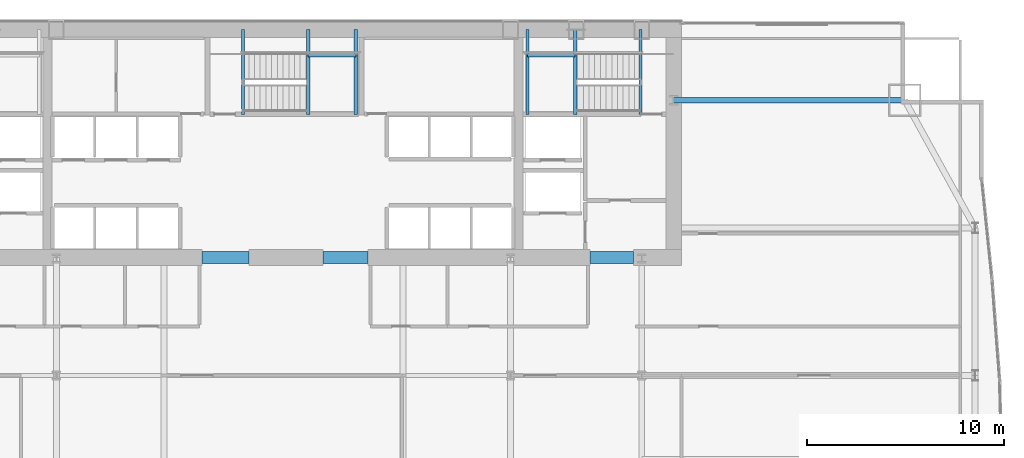
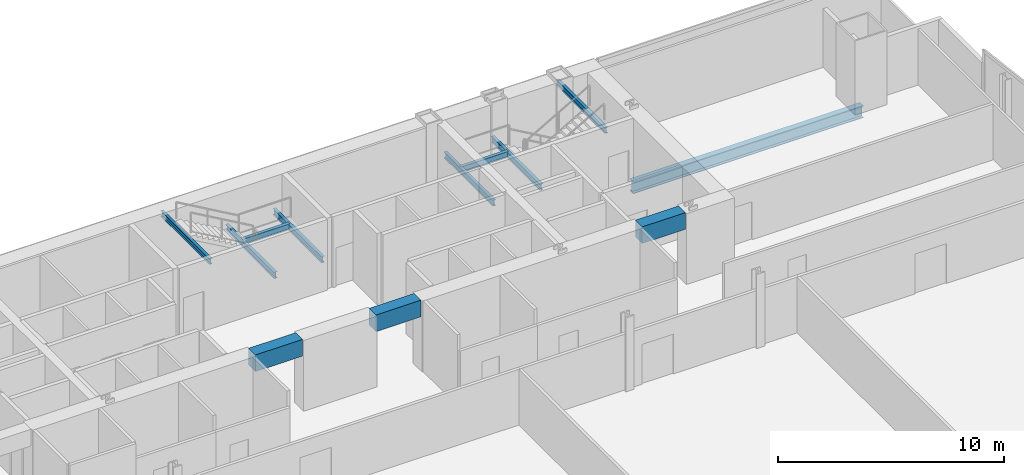
# One storey, part 19 of 33: 12 beams.
"""IFC4 building model written with IfcOpenShell, lengths in metres."""

from ifc_helpers import new_model, si_unit, direction, frame, origin, origin_2d, place, context, subcontext, project, spatial, rectangle, i_section, extrude, material, material_profile, profile_set, type_object, element, save


model = new_model("IFC4")

# Units and contexts
model_context = context("Model", 3, precision=1e-05, world=origin(), true_north=direction((0.0, 1.0)))
body_context = subcontext(model_context, "Body", "Model", "MODEL_VIEW")
ifc_project = project(units=[si_unit("LENGTHUNIT", "METRE"), si_unit("AREAUNIT", "SQUARE_METRE"), si_unit("VOLUMEUNIT", "CUBIC_METRE"), si_unit("PLANEANGLEUNIT", "RADIAN"), si_unit("MASSUNIT", "GRAM", prefix="KILO")], contexts=[model_context])

# Site, building, storey
site_placement = place(None, origin())
site = spatial("IfcSite", under=ifc_project, at=site_placement, CompositionType="ELEMENT")
building_placement = place(site_placement, origin())
building = spatial("IfcBuilding", under=site, at=building_placement, Name="Khoronbel Lancet Exchange", CompositionType="ELEMENT")
storey_placement = place(building_placement, frame((0.0, 0.0, 33.800048828125)))
storey = spatial("IfcBuildingStorey", under=building, at=storey_placement, Name="L07", CompositionType="ELEMENT", Elevation=33.800048828125)

# Beams
ifc_material_1 = material(Name="Steel S355", Category="steel")
ifc_material_profile_1 = material_profile(ifc_material_1, i_section(OverallWidth=0.159912109375, OverallDepth=0.330078125, WebThickness=0.007568359375, FlangeThickness=0.011474609375, at=origin_2d()), Name="IPE 330")
ifc_profile_set_1 = profile_set([ifc_material_profile_1], Name="Steel S355")
beam_type_1 = type_object("IfcBeamType", Name="BM-BJ7", PredefinedType="JOIST", material=ifc_profile_set_1)
for number, where, z_axis, x_axis, name in (
    (1, (51.2900390625, 48.97998046875, 1.635009765625), (0.0, 1.0, 0.0), (-1.0, 0.0, 0.0), "Level L07 stair ST2 landing bearer beam 1"),
    (2, (48.8701171875, 48.97998046875, 1.635009765625), (0.0, 1.0, 0.0), (-1.0, 0.0, 0.0), "Level L07 stair ST2 rear landing bearer beam 1"),
):
    element("IfcBeam", number, at=place(storey_placement, frame(where, z_axis=z_axis, x_axis=x_axis)), inside=storey, type_object=beam_type_1, Name=name, PredefinedType="JOIST", context=body_context, shape_type="SweptSolid", body=[
        extrude(i_section(OverallWidth=0.159912109375, OverallDepth=0.330078125, WebThickness=0.007568359375, FlangeThickness=0.011474609375, at=origin_2d()), origin(), (0.0, 0.0, 1.0), 4.320068359375),
    ])
beam_1_placement = place(storey_placement, frame((48.8701171875, 51.97998046875, 1.635009765625), z_axis=(1.0, 0.0, 0.0), x_axis=(0.0, 1.0, 0.0)))
element("IfcBeam", 3, at=beam_1_placement, inside=storey, type_object=beam_type_1, Name="Level L07 stair ST2 landing cross trimmer beam 1", PredefinedType="JOIST", context=body_context, shape_type="SweptSolid", body=[
    extrude(i_section(OverallWidth=0.159912109375, OverallDepth=0.330078125, WebThickness=0.007568359375, FlangeThickness=0.011474609375, at=origin_2d()), origin(), (0.0, 0.0, 1.0), 2.419921875),
])
for number, where, z_axis, x_axis, name in (
    (4, (37.7099609375, 48.97998046875, 1.635009765625), (0.0, 1.0, 0.0), (-1.0, 0.0, 0.0), "Level L07 stair ST3 landing bearer beam 1"),
    (5, (40.1298828125, 48.97998046875, 1.635009765625), (0.0, 1.0, 0.0), (-1.0, 0.0, 0.0), "Level L07 stair ST3 rear landing bearer beam 1"),
):
    element("IfcBeam", number, at=place(storey_placement, frame(where, z_axis=z_axis, x_axis=x_axis)), inside=storey, type_object=beam_type_1, Name=name, PredefinedType="JOIST", context=body_context, shape_type="SweptSolid", body=[
        extrude(i_section(OverallWidth=0.159912109375, OverallDepth=0.330078125, WebThickness=0.007568359375, FlangeThickness=0.011474609375, at=origin_2d()), origin(), (0.0, 0.0, 1.0), 4.320068359375),
    ])
beam_2_placement = place(storey_placement, frame((37.7099609375, 51.97998046875, 1.635009765625), z_axis=(1.0, 0.0, 0.0), x_axis=(0.0, 1.0, 0.0)))
element("IfcBeam", 6, at=beam_2_placement, inside=storey, type_object=beam_type_1, Name="Level L07 stair ST3 landing cross trimmer beam 1", PredefinedType="JOIST", context=body_context, shape_type="SweptSolid", body=[
    extrude(i_section(OverallWidth=0.159912109375, OverallDepth=0.330078125, WebThickness=0.007568359375, FlangeThickness=0.011474609375, at=origin_2d()), origin(), (0.0, 0.0, 1.0), 2.419921875),
])
ifc_material_profile_2 = material_profile(ifc_material_1, i_section(OverallWidth=0.14990234375, OverallDepth=0.300048828125, WebThickness=0.007080078125, FlangeThickness=0.0107421875, at=origin_2d()), Name="IPE 300")
ifc_profile_set_2 = profile_set([ifc_material_profile_2], Name="Steel S355")
beam_type_2 = type_object("IfcBeamType", Name="BM-BJ8", PredefinedType="JOIST", material=ifc_profile_set_2)
for number, where, z_axis, x_axis, name in (
    (7, (54.60009765625, 48.97998046875, 3.5400390625), (0.0, 1.0, 0.0), (-1.0, 0.0, 0.0), "Level L07 stair ST2 upper-flight arrival trimmer beam"),
    (8, (34.39990234375, 48.97998046875, 3.5400390625), (0.0, 1.0, 0.0), (-1.0, 0.0, 0.0), "Level L07 stair ST3 upper-flight arrival trimmer beam"),
):
    element("IfcBeam", number, at=place(storey_placement, frame(where, z_axis=z_axis, x_axis=x_axis)), inside=storey, type_object=beam_type_2, Name=name, PredefinedType="JOIST", context=body_context, shape_type="SweptSolid", body=[
        extrude(i_section(OverallWidth=0.14990234375, OverallDepth=0.300048828125, WebThickness=0.007080078125, FlangeThickness=0.0107421875, at=origin_2d()), origin(), (0.0, 0.0, 1.0), 4.320068359375),
    ])
ifc_material_2 = material(Name="Concrete C80/95", Category="concrete")
ifc_material_profile_3 = material_profile(ifc_material_2, rectangle(XDim=0.60009765625, YDim=0.89990234375, at=origin_2d()), Name="RC 600x900")
ifc_profile_set_3 = profile_set([ifc_material_profile_3], Name="Concrete C80/95")
beam_type_3 = type_object("IfcBeamType", Name="BM-BL1", PredefinedType="LINTEL", material=ifc_profile_set_3)
beam_3_placement = place(storey_placement, frame((32.300048828125, 41.699951171875, 3.369873046875), z_axis=(1.0, 0.0, 0.0), x_axis=(0.0, 1.0, 0.0)))
element("IfcBeam", 9, at=beam_3_placement, inside=storey, type_object=beam_type_3, Name="Level L07 rear core coupling lintel L2", PredefinedType="LINTEL", context=body_context, shape_type="SweptSolid", body=[
    extrude(rectangle(XDim=0.60009765625, YDim=0.89990234375, at=origin_2d()), origin(), (0.0, 0.0, 1.0), 2.39990234375),
])
beam_4_placement = place(storey_placement, frame((38.449951171875, 41.699951171875, 3.369873046875), z_axis=(1.0, 0.0, 0.0), x_axis=(0.0, 1.0, 0.0)))
element("IfcBeam", 10, at=beam_4_placement, inside=storey, type_object=beam_type_3, Name="Level L07 rear core coupling lintel L3", PredefinedType="LINTEL", context=body_context, shape_type="SweptSolid", body=[
    extrude(rectangle(XDim=0.60009765625, YDim=0.89990234375, at=origin_2d()), origin(), (0.0, 0.0, 1.0), 2.300048828125),
])
beam_5_placement = place(storey_placement, frame((52.050048828125, 41.699951171875, 3.369873046875), z_axis=(1.0, 0.0, 0.0), x_axis=(0.0, 1.0, 0.0)))
element("IfcBeam", 11, at=beam_5_placement, inside=storey, type_object=beam_type_3, Name="Level L07 rear core coupling lintel L4", PredefinedType="LINTEL", context=body_context, shape_type="SweptSolid", body=[
    extrude(rectangle(XDim=0.60009765625, YDim=0.89990234375, at=origin_2d()), origin(), (0.0, 0.0, 1.0), 2.199951171875),
])
ifc_material_profile_4 = material_profile(ifc_material_1, i_section(OverallWidth=0.300048828125, OverallDepth=0.64990234375, WebThickness=0.01611328125, FlangeThickness=0.031005859375, at=origin_2d()), Name="HEB 650")
ifc_profile_set_4 = profile_set([ifc_material_profile_4], Name="Steel S355")
beam_type_4 = type_object("IfcBeamType", Name="BM-BSP1", PredefinedType="SPANDREL", material=ifc_profile_set_4)
beam_6_placement = place(storey_placement, frame((68.050048828125, 49.699951171875, -0.505126953125), z_axis=(-1.0, 0.0, 0.0), x_axis=(0.0, -1.0, 0.0)))
element("IfcBeam", 12, at=beam_6_placement, inside=storey, type_object=beam_type_4, Name="Level L07 north flank tie spandrel SP23", PredefinedType="SPANDREL", context=body_context, shape_type="SweptSolid", body=[
    extrude(i_section(OverallWidth=0.300048828125, OverallDepth=0.64990234375, WebThickness=0.01611328125, FlangeThickness=0.031005859375, at=origin_2d()), origin(), (0.0, 0.0, 1.0), 11.75),
])

save(model, "model.ifc")
